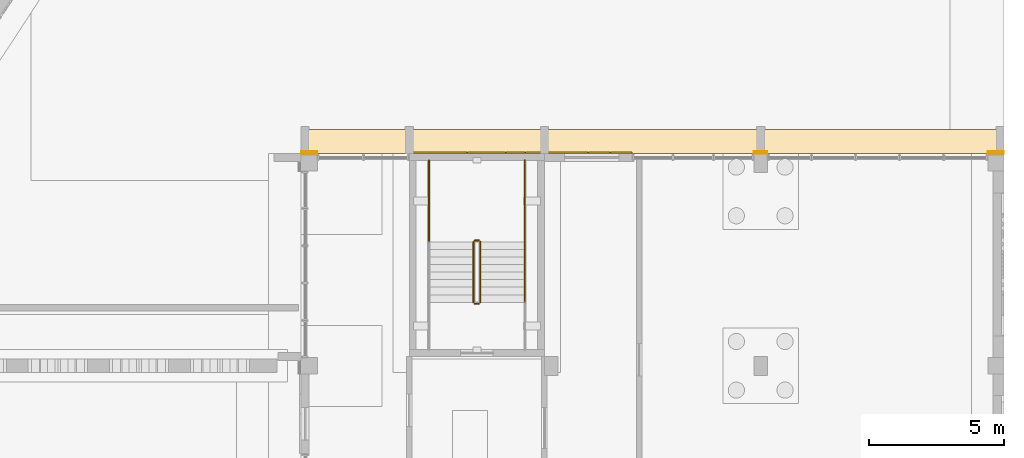
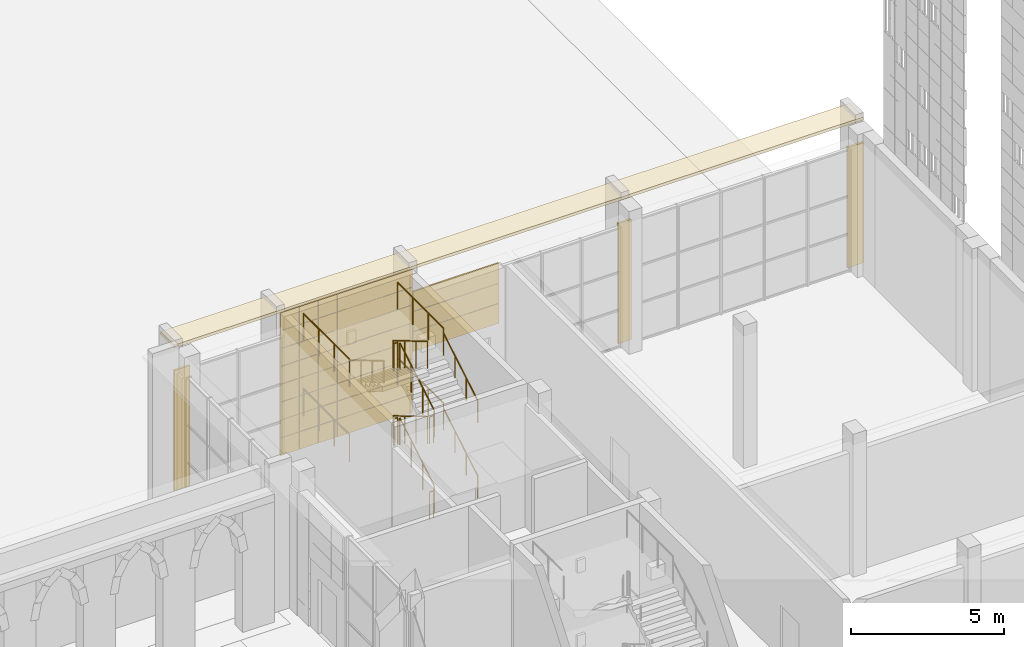
# One storey, part 123 of 125: 14 railings, 3 coverings.
"""IFC4 building model written with IfcOpenShell, lengths in metres."""

from ifc_helpers import new_model, si_unit, direction, frame, origin, origin_2d, place, context, subcontext, project, spatial, polyline, rectangle, circle, outline, extrude, material, layer, layer_set, type_object, element, save


model = new_model("IFC4")

# Units and contexts
model_context = context("Model", 3, precision=1e-05, world=origin(), true_north=direction((0.0, 1.0)))
body_context = subcontext(model_context, "Body", "Model", "MODEL_VIEW")
ifc_project = project(units=[si_unit("LENGTHUNIT", "METRE"), si_unit("AREAUNIT", "SQUARE_METRE"), si_unit("VOLUMEUNIT", "CUBIC_METRE"), si_unit("PLANEANGLEUNIT", "RADIAN"), si_unit("MASSUNIT", "GRAM", prefix="KILO")], contexts=[model_context])

# Site, building, storey
site_placement = place(None, origin())
site = spatial("IfcSite", under=ifc_project, at=site_placement, CompositionType="ELEMENT")
building_placement = place(site_placement, origin())
building = spatial("IfcBuilding", under=site, at=building_placement, Name="Sun Court Science Centre", CompositionType="ELEMENT")
storey_placement = place(building_placement, origin())
storey = spatial("IfcBuildingStorey", under=building, at=storey_placement, Name="L00", CompositionType="ELEMENT", Elevation=0.0)

# Railings
ifc_material_1 = material(Name="Steel S275", Category="steel")
railing_type_1 = type_object("IfcRailingType", Name="Guard 1100 steel balustrade", PredefinedType="GUARDRAIL", material=ifc_material_1)
railing_1_placement = place(storey_placement, frame((84.625, 75.498046875, 0.166748046875)))
element("IfcRailing", 1, at=railing_1_placement, inside=storey, type_object=railing_type_1, Name="L00 SL4 stair guard 1", PredefinedType="GUARDRAIL", context=body_context, shape_type="SweptSolid", body=[
    extrude(circle(Radius=0.02392578125, at=origin_2d()), frame((0.0, 0.0, 1.076171875), z_axis=(0.0, 0.859305625298, 0.511462454469), x_axis=(-1.0, 0.0, 0.0)), (0.0, 0.0, 1.0), 2.606689453125),
    extrude(circle(Radius=0.02099609375, at=origin_2d()), origin(), (0.0, 0.0, 1.0), 1.052001953125),
    extrude(circle(Radius=0.02099609375, at=origin_2d()), frame((0.0, 0.74658203125, 0.4443359375)), (0.0, 0.0, 1.0), 1.052001953125),
    extrude(circle(Radius=0.02099609375, at=origin_2d()), frame((0.0, 1.493408203125, 0.888916015625)), (0.0, 0.0, 1.0), 1.052001953125),
    extrude(circle(Radius=0.02099609375, at=origin_2d()), frame((0.0, 2.239990234375, 1.333251953125)), (0.0, 0.0, 1.0), 1.052001953125),
])
railing_2_placement = place(storey_placement, frame((84.574951171875, 77.7880859375, 1.5)))
element("IfcRailing", 2, at=railing_2_placement, inside=storey, type_object=railing_type_1, Name="L00 SL4 stair guard 2", PredefinedType="GUARDRAIL", context=body_context, shape_type="SweptSolid", body=[
    extrude(circle(Radius=0.02392578125, at=origin_2d()), frame((0.0, 0.0, 1.076171875), z_axis=(-1.0, 0.0, 0.0), x_axis=(0.0, -1.0, 0.0)), (0.0, 0.0, 1.0), 0.14990234375),
    extrude(circle(Radius=0.02099609375, at=origin_2d()), origin(), (0.0, 0.0, 1.0), 1.052001953125),
    extrude(circle(Radius=0.02099609375, at=origin_2d()), frame((-0.14990234375, 0.0, 0.0)), (0.0, 0.0, 1.0), 1.052001953125),
])
for number, where, name in (
    (3, (86.27294921875, 77.738037109375, 1.5), "L00 SL4 stair guard 3"),
    (4, (82.72705078125, 77.738037109375, 1.5), "L00 SL4 stair guard 4"),
):
    element("IfcRailing", number, at=place(storey_placement, frame(where)), inside=storey, type_object=railing_type_1, Name=name, PredefinedType="GUARDRAIL", context=body_context, shape_type="SweptSolid", body=[
        extrude(circle(Radius=0.02392578125, at=origin_2d()), frame((0.0, 0.0, 1.076171875), z_axis=(0.0, 1.0, 0.0), x_axis=(-1.0, 0.0, 0.0)), (0.0, 0.0, 1.0), 3.011962890625),
        extrude(circle(Radius=0.02099609375, at=origin_2d()), origin(), (0.0, 0.0, 1.0), 1.052001953125),
        extrude(circle(Radius=0.02099609375, at=origin_2d()), frame((0.0, 1.00390625, 0.0)), (0.0, 0.0, 1.0), 1.052001953125),
        extrude(circle(Radius=0.02099609375, at=origin_2d()), frame((0.0, 2.008056640625, 0.0)), (0.0, 0.0, 1.0), 1.052001953125),
        extrude(circle(Radius=0.02099609375, at=origin_2d()), frame((0.0, 3.011962890625, 0.0)), (0.0, 0.0, 1.0), 1.052001953125),
    ])
railing_3_placement = place(storey_placement, frame((84.375, 77.738037109375, 1.666748046875)))
element("IfcRailing", 5, at=railing_3_placement, inside=storey, type_object=railing_type_1, Name="L00 SL4 stair guard 5", PredefinedType="GUARDRAIL", context=body_context, shape_type="SweptSolid", body=[
    extrude(circle(Radius=0.02392578125, at=origin_2d()), frame((0.0, 0.0, 1.076171875), z_axis=(0.0, -0.859305625298, 0.511462454469), x_axis=(1.0, 0.0, 0.0)), (0.0, 0.0, 1.0), 2.606689453125),
    extrude(circle(Radius=0.02099609375, at=origin_2d()), origin(), (0.0, 0.0, 1.0), 1.052001953125),
    extrude(circle(Radius=0.02099609375, at=origin_2d()), frame((0.0, -0.74658203125, 0.4443359375)), (0.0, 0.0, 1.0), 1.052001953125),
    extrude(circle(Radius=0.02099609375, at=origin_2d()), frame((0.0, -1.493408203125, 0.888916015625)), (0.0, 0.0, 1.0), 1.052001953125),
    extrude(circle(Radius=0.02099609375, at=origin_2d()), frame((0.0, -2.239990234375, 1.333251953125)), (0.0, 0.0, 1.0), 1.052001953125),
])
railing_4_placement = place(storey_placement, frame((84.574951171875, 75.447998046875, 3.0)))
element("IfcRailing", 6, at=railing_4_placement, inside=storey, type_object=railing_type_1, Name="L00 SL4 stair guard 6", PredefinedType="GUARDRAIL", context=body_context, shape_type="SweptSolid", body=[
    extrude(circle(Radius=0.02392578125, at=origin_2d()), frame((0.0, 0.0, 1.076171875), z_axis=(-1.0, 0.0, 0.0), x_axis=(0.0, -1.0, 0.0)), (0.0, 0.0, 1.0), 0.14990234375),
    extrude(circle(Radius=0.02099609375, at=origin_2d()), origin(), (0.0, 0.0, 1.0), 1.052001953125),
    extrude(circle(Radius=0.02099609375, at=origin_2d()), frame((-0.14990234375, 0.0, 0.0)), (0.0, 0.0, 1.0), 1.052001953125),
])
railing_5_placement = place(storey_placement, frame((84.625, 75.498046875, 3.166748046875)))
element("IfcRailing", 7, at=railing_5_placement, inside=storey, type_object=railing_type_1, Name="L00 SL4 stair guard 9", PredefinedType="GUARDRAIL", context=body_context, shape_type="SweptSolid", body=[
    extrude(circle(Radius=0.02392578125, at=origin_2d()), frame((0.0, 0.0, 1.076171875), z_axis=(0.0, 0.859305625298, 0.511462454469), x_axis=(-1.0, 0.0, 0.0)), (0.0, 0.0, 1.0), 2.606689453125),
    extrude(circle(Radius=0.02099609375, at=origin_2d()), origin(), (0.0, 0.0, 1.0), 1.052001953125),
    extrude(circle(Radius=0.02099609375, at=origin_2d()), frame((0.0, 0.74658203125, 0.4443359375)), (0.0, 0.0, 1.0), 1.052001953125),
    extrude(circle(Radius=0.02099609375, at=origin_2d()), frame((0.0, 1.493408203125, 0.888916015625)), (0.0, 0.0, 1.0), 1.052001953125),
    extrude(circle(Radius=0.02099609375, at=origin_2d()), frame((0.0, 2.239990234375, 1.333251953125)), (0.0, 0.0, 1.0), 1.052001953125),
])
railing_6_placement = place(storey_placement, frame((84.574951171875, 77.7880859375, 4.5)))
element("IfcRailing", 8, at=railing_6_placement, inside=storey, type_object=railing_type_1, Name="L00 SL4 stair guard 10", PredefinedType="GUARDRAIL", context=body_context, shape_type="SweptSolid", body=[
    extrude(circle(Radius=0.02392578125, at=origin_2d()), frame((0.0, 0.0, 1.076171875), z_axis=(-1.0, 0.0, 0.0), x_axis=(0.0, -1.0, 0.0)), (0.0, 0.0, 1.0), 0.14990234375),
    extrude(circle(Radius=0.02099609375, at=origin_2d()), origin(), (0.0, 0.0, 1.0), 1.052001953125),
    extrude(circle(Radius=0.02099609375, at=origin_2d()), frame((-0.14990234375, 0.0, 0.0)), (0.0, 0.0, 1.0), 1.052001953125),
])
for number, where, name in (
    (9, (86.27294921875, 77.738037109375, 4.5), "L00 SL4 stair guard 11"),
    (10, (82.72705078125, 77.738037109375, 4.5), "L00 SL4 stair guard 12"),
):
    element("IfcRailing", number, at=place(storey_placement, frame(where)), inside=storey, type_object=railing_type_1, Name=name, PredefinedType="GUARDRAIL", context=body_context, shape_type="SweptSolid", body=[
        extrude(circle(Radius=0.02392578125, at=origin_2d()), frame((0.0, 0.0, 1.076171875), z_axis=(0.0, 1.0, 0.0), x_axis=(-1.0, 0.0, 0.0)), (0.0, 0.0, 1.0), 3.011962890625),
        extrude(circle(Radius=0.02099609375, at=origin_2d()), origin(), (0.0, 0.0, 1.0), 1.052001953125),
        extrude(circle(Radius=0.02099609375, at=origin_2d()), frame((0.0, 1.00390625, 0.0)), (0.0, 0.0, 1.0), 1.052001953125),
        extrude(circle(Radius=0.02099609375, at=origin_2d()), frame((0.0, 2.008056640625, 0.0)), (0.0, 0.0, 1.0), 1.052001953125),
        extrude(circle(Radius=0.02099609375, at=origin_2d()), frame((0.0, 3.011962890625, 0.0)), (0.0, 0.0, 1.0), 1.052001953125),
    ])
railing_7_placement = place(storey_placement, frame((84.375, 77.738037109375, 4.666748046875)))
element("IfcRailing", 11, at=railing_7_placement, inside=storey, type_object=railing_type_1, Name="L00 SL4 stair guard 13", PredefinedType="GUARDRAIL", context=body_context, shape_type="SweptSolid", body=[
    extrude(circle(Radius=0.02392578125, at=origin_2d()), frame((0.0, 0.0, 1.076171875), z_axis=(0.0, -0.859305625298, 0.511462454469), x_axis=(1.0, 0.0, 0.0)), (0.0, 0.0, 1.0), 2.606689453125),
    extrude(circle(Radius=0.02099609375, at=origin_2d()), origin(), (0.0, 0.0, 1.0), 1.052001953125),
    extrude(circle(Radius=0.02099609375, at=origin_2d()), frame((0.0, -0.74658203125, 0.4443359375)), (0.0, 0.0, 1.0), 1.052001953125),
    extrude(circle(Radius=0.02099609375, at=origin_2d()), frame((0.0, -1.493408203125, 0.888916015625)), (0.0, 0.0, 1.0), 1.052001953125),
    extrude(circle(Radius=0.02099609375, at=origin_2d()), frame((0.0, -2.239990234375, 1.333251953125)), (0.0, 0.0, 1.0), 1.052001953125),
])
railing_8_placement = place(storey_placement, frame((84.574951171875, 75.447998046875, 0.0)))
element("IfcRailing", 12, at=railing_8_placement, inside=storey, type_object=railing_type_1, Name="L00 SL4 stair guard 14", PredefinedType="GUARDRAIL", context=body_context, shape_type="SweptSolid", body=[
    extrude(circle(Radius=0.02392578125, at=origin_2d()), frame((0.0, 0.0, 1.076171875), z_axis=(-1.0, 0.0, 0.0), x_axis=(0.0, -1.0, 0.0)), (0.0, 0.0, 1.0), 0.14990234375),
    extrude(circle(Radius=0.02099609375, at=origin_2d()), origin(), (0.0, 0.0, 1.0), 1.052001953125),
    extrude(circle(Radius=0.02099609375, at=origin_2d()), frame((-0.14990234375, 0.0, 0.0)), (0.0, 0.0, 1.0), 1.052001953125),
])
ifc_material_2 = material(Name="Stainless steel", Category="steel")
railing_type_2 = type_object("IfcRailingType", Name="Handrail 900 stainless", PredefinedType="HANDRAIL", material=ifc_material_2)
for number, where, name in (
    (13, (86.27294921875, 75.498046875, 0.166748046875), "L00 SL4 stair handrail 1"),
    (14, (86.27294921875, 75.498046875, 3.166748046875), "L00 SL4 stair handrail 3"),
):
    element("IfcRailing", number, at=place(storey_placement, frame(where)), inside=storey, type_object=railing_type_2, Name=name, PredefinedType="HANDRAIL", context=body_context, shape_type="SweptSolid", body=[
        extrude(circle(Radius=0.02392578125, at=origin_2d()), frame((0.0, 0.0, 0.8759765625), z_axis=(0.0, 0.859305625298, 0.511462454469), x_axis=(-1.0, 0.0, 0.0)), (0.0, 0.0, 1.0), 2.606689453125),
        extrude(circle(Radius=0.02099609375, at=origin_2d()), origin(), (0.0, 0.0, 1.0), 0.851806640625),
        extrude(circle(Radius=0.02099609375, at=origin_2d()), frame((0.0, 0.74658203125, 0.4443359375)), (0.0, 0.0, 1.0), 0.851806640625),
        extrude(circle(Radius=0.02099609375, at=origin_2d()), frame((0.0, 1.493408203125, 0.888916015625)), (0.0, 0.0, 1.0), 0.851806640625),
        extrude(circle(Radius=0.02099609375, at=origin_2d()), frame((0.0, 2.239990234375, 1.333251953125)), (0.0, 0.0, 1.0), 0.851806640625),
    ])

# Coverings
ifc_material_3 = material(Name="Red sandstone", Category="masonry")
ifc_layer_1 = layer(ifc_material_3, 0.080078125)
ifc_layer_set_1 = layer_set([ifc_layer_1], Name="Red sandstone")
covering_type_1 = type_object("IfcCoveringType", Name="Red sandstone pier cladding", PredefinedType="CLADDING", material=ifc_layer_set_1)
covering_1_placement = place(storey_placement, origin())
element("IfcCovering", 15, at=covering_1_placement, inside=storey, type_object=covering_type_1, Name="Red sandstone pier cladding north face L00", PredefinedType="CLADDING", context=body_context, shape_type="SweptSolid", body=[
    extrude(rectangle(XDim=0.60009765625, YDim=0.080078125, at=origin_2d()), frame((78.300048828125, 81.0400390625, 0.0), z_axis=(0.0, 0.0, 1.0), x_axis=(1.0, 0.0, 0.0)), (0.0, 0.0, 1.0), 4.800048828125),
    extrude(rectangle(XDim=0.5, YDim=0.080078125, at=origin_2d()), frame((95.0, 81.0400390625, 0.0), z_axis=(0.0, 0.0, 1.0), x_axis=(1.0, 0.0, 0.0)), (0.0, 0.0, 1.0), 4.800048828125),
    extrude(rectangle(XDim=0.60009765625, YDim=0.080078125, at=origin_2d()), frame((103.699951171875, 81.0400390625, 0.0), z_axis=(0.0, 0.0, 1.0), x_axis=(1.0, 0.0, 0.0)), (0.0, 0.0, 1.0), 4.800048828125),
])
ifc_material_4 = material(Name="Red sandstone", Category="masonry")
ifc_layer_2 = layer(ifc_material_4, 0.06005859375)
ifc_layer_set_2 = layer_set([ifc_layer_2], Name="Red sandstone")
covering_type_2 = type_object("IfcCoveringType", Name="Red sandstone wall cladding 750", PredefinedType="CLADDING", material=ifc_layer_set_2)
covering_2_placement = place(storey_placement, origin())
element("IfcCovering", 16, at=covering_2_placement, inside=storey, type_object=covering_type_2, Name="Red sandstone wall cladding north face L00", PredefinedType="CLADDING", context=body_context, shape_type="SweptSolid", body=[
    extrude(rectangle(XDim=0.802490234375, YDim=0.06005859375, at=origin_2d()), frame((87.40625, 81.030029296875, 2.405029296875), z_axis=(0.0, 0.0, 1.0), x_axis=(1.0, 0.0, 0.0)), (0.0, 0.0, 1.0), 0.7900390625),
    extrude(rectangle(XDim=0.802490234375, YDim=0.06005859375, at=origin_2d()), frame((88.21875, 81.030029296875, 2.405029296875), z_axis=(0.0, 0.0, 1.0), x_axis=(1.0, 0.0, 0.0)), (0.0, 0.0, 1.0), 0.7900390625),
    extrude(rectangle(XDim=0.802490234375, YDim=0.06005859375, at=origin_2d()), frame((89.03125, 81.030029296875, 2.405029296875), z_axis=(0.0, 0.0, 1.0), x_axis=(1.0, 0.0, 0.0)), (0.0, 0.0, 1.0), 0.7900390625),
    extrude(rectangle(XDim=0.802490234375, YDim=0.06005859375, at=origin_2d()), frame((89.84375, 81.030029296875, 2.405029296875), z_axis=(0.0, 0.0, 1.0), x_axis=(1.0, 0.0, 0.0)), (0.0, 0.0, 1.0), 0.7900390625),
    extrude(rectangle(XDim=0.802490234375, YDim=0.06005859375, at=origin_2d()), frame((87.40625, 81.030029296875, 3.205078125), z_axis=(0.0, 0.0, 1.0), x_axis=(1.0, 0.0, 0.0)), (0.0, 0.0, 1.0), 0.7900390625),
    extrude(rectangle(XDim=0.802490234375, YDim=0.06005859375, at=origin_2d()), frame((88.21875, 81.030029296875, 3.205078125), z_axis=(0.0, 0.0, 1.0), x_axis=(1.0, 0.0, 0.0)), (0.0, 0.0, 1.0), 0.7900390625),
    extrude(rectangle(XDim=0.802490234375, YDim=0.06005859375, at=origin_2d()), frame((89.03125, 81.030029296875, 3.205078125), z_axis=(0.0, 0.0, 1.0), x_axis=(1.0, 0.0, 0.0)), (0.0, 0.0, 1.0), 0.7900390625),
    extrude(rectangle(XDim=0.802490234375, YDim=0.06005859375, at=origin_2d()), frame((89.84375, 81.030029296875, 3.205078125), z_axis=(0.0, 0.0, 1.0), x_axis=(1.0, 0.0, 0.0)), (0.0, 0.0, 1.0), 0.7900390625),
    extrude(rectangle(XDim=0.802490234375, YDim=0.06005859375, at=origin_2d()), frame((87.40625, 81.030029296875, 4.0048828125), z_axis=(0.0, 0.0, 1.0), x_axis=(1.0, 0.0, 0.0)), (0.0, 0.0, 1.0), 0.7900390625),
    extrude(rectangle(XDim=0.802490234375, YDim=0.06005859375, at=origin_2d()), frame((88.21875, 81.030029296875, 4.0048828125), z_axis=(0.0, 0.0, 1.0), x_axis=(1.0, 0.0, 0.0)), (0.0, 0.0, 1.0), 0.7900390625),
    extrude(rectangle(XDim=0.802490234375, YDim=0.06005859375, at=origin_2d()), frame((89.03125, 81.030029296875, 4.0048828125), z_axis=(0.0, 0.0, 1.0), x_axis=(1.0, 0.0, 0.0)), (0.0, 0.0, 1.0), 0.7900390625),
    extrude(rectangle(XDim=0.802490234375, YDim=0.06005859375, at=origin_2d()), frame((89.84375, 81.030029296875, 4.0048828125), z_axis=(0.0, 0.0, 1.0), x_axis=(1.0, 0.0, 0.0)), (0.0, 0.0, 1.0), 0.7900390625),
    extrude(rectangle(XDim=0.704345703125, YDim=0.06005859375, at=origin_2d()), frame((82.357177734375, 81.030029296875, 0.0048828125), z_axis=(0.0, 0.0, 1.0), x_axis=(1.0, 0.0, 0.0)), (0.0, 0.0, 1.0), 0.702392578125),
    extrude(rectangle(XDim=0.704345703125, YDim=0.06005859375, at=origin_2d()), frame((83.071533203125, 81.030029296875, 0.0048828125), z_axis=(0.0, 0.0, 1.0), x_axis=(1.0, 0.0, 0.0)), (0.0, 0.0, 1.0), 0.702392578125),
    extrude(rectangle(XDim=0.704345703125, YDim=0.06005859375, at=origin_2d()), frame((83.78564453125, 81.030029296875, 0.0048828125), z_axis=(0.0, 0.0, 1.0), x_axis=(1.0, 0.0, 0.0)), (0.0, 0.0, 1.0), 0.702392578125),
    extrude(rectangle(XDim=0.704345703125, YDim=0.06005859375, at=origin_2d()), frame((84.5, 81.030029296875, 0.0048828125), z_axis=(0.0, 0.0, 1.0), x_axis=(1.0, 0.0, 0.0)), (0.0, 0.0, 1.0), 0.702392578125),
    extrude(rectangle(XDim=0.704345703125, YDim=0.06005859375, at=origin_2d()), frame((85.21435546875, 81.030029296875, 0.0048828125), z_axis=(0.0, 0.0, 1.0), x_axis=(1.0, 0.0, 0.0)), (0.0, 0.0, 1.0), 0.702392578125),
    extrude(rectangle(XDim=0.704345703125, YDim=0.06005859375, at=origin_2d()), frame((85.928466796875, 81.030029296875, 0.0048828125), z_axis=(0.0, 0.0, 1.0), x_axis=(1.0, 0.0, 0.0)), (0.0, 0.0, 1.0), 0.702392578125),
    extrude(rectangle(XDim=0.704345703125, YDim=0.06005859375, at=origin_2d()), frame((86.642822265625, 81.030029296875, 0.0048828125), z_axis=(0.0, 0.0, 1.0), x_axis=(1.0, 0.0, 0.0)), (0.0, 0.0, 1.0), 0.702392578125),
    extrude(rectangle(XDim=0.704345703125, YDim=0.06005859375, at=origin_2d()), frame((82.357177734375, 81.030029296875, 0.7177734375), z_axis=(0.0, 0.0, 1.0), x_axis=(1.0, 0.0, 0.0)), (0.0, 0.0, 1.0), 0.702392578125),
    extrude(rectangle(XDim=0.704345703125, YDim=0.06005859375, at=origin_2d()), frame((83.071533203125, 81.030029296875, 0.7177734375), z_axis=(0.0, 0.0, 1.0), x_axis=(1.0, 0.0, 0.0)), (0.0, 0.0, 1.0), 0.702392578125),
    extrude(rectangle(XDim=0.704345703125, YDim=0.06005859375, at=origin_2d()), frame((83.78564453125, 81.030029296875, 0.7177734375), z_axis=(0.0, 0.0, 1.0), x_axis=(1.0, 0.0, 0.0)), (0.0, 0.0, 1.0), 0.702392578125),
    extrude(rectangle(XDim=0.704345703125, YDim=0.06005859375, at=origin_2d()), frame((84.5, 81.030029296875, 0.7177734375), z_axis=(0.0, 0.0, 1.0), x_axis=(1.0, 0.0, 0.0)), (0.0, 0.0, 1.0), 0.702392578125),
    extrude(rectangle(XDim=0.704345703125, YDim=0.06005859375, at=origin_2d()), frame((85.21435546875, 81.030029296875, 0.7177734375), z_axis=(0.0, 0.0, 1.0), x_axis=(1.0, 0.0, 0.0)), (0.0, 0.0, 1.0), 0.702392578125),
    extrude(rectangle(XDim=0.704345703125, YDim=0.06005859375, at=origin_2d()), frame((85.928466796875, 81.030029296875, 0.7177734375), z_axis=(0.0, 0.0, 1.0), x_axis=(1.0, 0.0, 0.0)), (0.0, 0.0, 1.0), 0.702392578125),
    extrude(rectangle(XDim=0.704345703125, YDim=0.06005859375, at=origin_2d()), frame((86.642822265625, 81.030029296875, 0.7177734375), z_axis=(0.0, 0.0, 1.0), x_axis=(1.0, 0.0, 0.0)), (0.0, 0.0, 1.0), 0.702392578125),
    extrude(rectangle(XDim=0.704345703125, YDim=0.06005859375, at=origin_2d()), frame((82.357177734375, 81.030029296875, 1.43017578125), z_axis=(0.0, 0.0, 1.0), x_axis=(1.0, 0.0, 0.0)), (0.0, 0.0, 1.0), 0.702392578125),
    extrude(rectangle(XDim=0.704345703125, YDim=0.06005859375, at=origin_2d()), frame((83.071533203125, 81.030029296875, 1.43017578125), z_axis=(0.0, 0.0, 1.0), x_axis=(1.0, 0.0, 0.0)), (0.0, 0.0, 1.0), 0.702392578125),
    extrude(rectangle(XDim=0.704345703125, YDim=0.06005859375, at=origin_2d()), frame((83.78564453125, 81.030029296875, 1.43017578125), z_axis=(0.0, 0.0, 1.0), x_axis=(1.0, 0.0, 0.0)), (0.0, 0.0, 1.0), 0.702392578125),
    extrude(rectangle(XDim=0.704345703125, YDim=0.06005859375, at=origin_2d()), frame((84.5, 81.030029296875, 1.43017578125), z_axis=(0.0, 0.0, 1.0), x_axis=(1.0, 0.0, 0.0)), (0.0, 0.0, 1.0), 0.702392578125),
    extrude(rectangle(XDim=0.704345703125, YDim=0.06005859375, at=origin_2d()), frame((85.21435546875, 81.030029296875, 1.43017578125), z_axis=(0.0, 0.0, 1.0), x_axis=(1.0, 0.0, 0.0)), (0.0, 0.0, 1.0), 0.702392578125),
    extrude(rectangle(XDim=0.704345703125, YDim=0.06005859375, at=origin_2d()), frame((85.928466796875, 81.030029296875, 1.43017578125), z_axis=(0.0, 0.0, 1.0), x_axis=(1.0, 0.0, 0.0)), (0.0, 0.0, 1.0), 0.702392578125),
    extrude(rectangle(XDim=0.704345703125, YDim=0.06005859375, at=origin_2d()), frame((86.642822265625, 81.030029296875, 1.43017578125), z_axis=(0.0, 0.0, 1.0), x_axis=(1.0, 0.0, 0.0)), (0.0, 0.0, 1.0), 0.702392578125),
    extrude(rectangle(XDim=0.704345703125, YDim=0.06005859375, at=origin_2d()), frame((82.357177734375, 81.030029296875, 2.142578125), z_axis=(0.0, 0.0, 1.0), x_axis=(1.0, 0.0, 0.0)), (0.0, 0.0, 1.0), 0.702392578125),
    extrude(rectangle(XDim=0.704345703125, YDim=0.06005859375, at=origin_2d()), frame((83.071533203125, 81.030029296875, 2.142578125), z_axis=(0.0, 0.0, 1.0), x_axis=(1.0, 0.0, 0.0)), (0.0, 0.0, 1.0), 0.702392578125),
    extrude(rectangle(XDim=0.704345703125, YDim=0.06005859375, at=origin_2d()), frame((83.78564453125, 81.030029296875, 2.142578125), z_axis=(0.0, 0.0, 1.0), x_axis=(1.0, 0.0, 0.0)), (0.0, 0.0, 1.0), 0.702392578125),
    extrude(rectangle(XDim=0.704345703125, YDim=0.06005859375, at=origin_2d()), frame((84.5, 81.030029296875, 2.142578125), z_axis=(0.0, 0.0, 1.0), x_axis=(1.0, 0.0, 0.0)), (0.0, 0.0, 1.0), 0.702392578125),
    extrude(rectangle(XDim=0.704345703125, YDim=0.06005859375, at=origin_2d()), frame((85.21435546875, 81.030029296875, 2.142578125), z_axis=(0.0, 0.0, 1.0), x_axis=(1.0, 0.0, 0.0)), (0.0, 0.0, 1.0), 0.702392578125),
    extrude(rectangle(XDim=0.704345703125, YDim=0.06005859375, at=origin_2d()), frame((85.928466796875, 81.030029296875, 2.142578125), z_axis=(0.0, 0.0, 1.0), x_axis=(1.0, 0.0, 0.0)), (0.0, 0.0, 1.0), 0.702392578125),
    extrude(rectangle(XDim=0.704345703125, YDim=0.06005859375, at=origin_2d()), frame((86.642822265625, 81.030029296875, 2.142578125), z_axis=(0.0, 0.0, 1.0), x_axis=(1.0, 0.0, 0.0)), (0.0, 0.0, 1.0), 0.702392578125),
    extrude(rectangle(XDim=0.704345703125, YDim=0.06005859375, at=origin_2d()), frame((82.357177734375, 81.030029296875, 2.85498046875), z_axis=(0.0, 0.0, 1.0), x_axis=(1.0, 0.0, 0.0)), (0.0, 0.0, 1.0), 0.702392578125),
    extrude(rectangle(XDim=0.704345703125, YDim=0.06005859375, at=origin_2d()), frame((83.071533203125, 81.030029296875, 2.85498046875), z_axis=(0.0, 0.0, 1.0), x_axis=(1.0, 0.0, 0.0)), (0.0, 0.0, 1.0), 0.702392578125),
    extrude(rectangle(XDim=0.704345703125, YDim=0.06005859375, at=origin_2d()), frame((83.78564453125, 81.030029296875, 2.85498046875), z_axis=(0.0, 0.0, 1.0), x_axis=(1.0, 0.0, 0.0)), (0.0, 0.0, 1.0), 0.702392578125),
    extrude(rectangle(XDim=0.704345703125, YDim=0.06005859375, at=origin_2d()), frame((84.5, 81.030029296875, 2.85498046875), z_axis=(0.0, 0.0, 1.0), x_axis=(1.0, 0.0, 0.0)), (0.0, 0.0, 1.0), 0.702392578125),
    extrude(rectangle(XDim=0.704345703125, YDim=0.06005859375, at=origin_2d()), frame((85.21435546875, 81.030029296875, 2.85498046875), z_axis=(0.0, 0.0, 1.0), x_axis=(1.0, 0.0, 0.0)), (0.0, 0.0, 1.0), 0.702392578125),
    extrude(rectangle(XDim=0.704345703125, YDim=0.06005859375, at=origin_2d()), frame((85.928466796875, 81.030029296875, 2.85498046875), z_axis=(0.0, 0.0, 1.0), x_axis=(1.0, 0.0, 0.0)), (0.0, 0.0, 1.0), 0.702392578125),
    extrude(rectangle(XDim=0.704345703125, YDim=0.06005859375, at=origin_2d()), frame((86.642822265625, 81.030029296875, 2.85498046875), z_axis=(0.0, 0.0, 1.0), x_axis=(1.0, 0.0, 0.0)), (0.0, 0.0, 1.0), 0.702392578125),
    extrude(rectangle(XDim=0.704345703125, YDim=0.06005859375, at=origin_2d()), frame((82.357177734375, 81.030029296875, 3.5673828125), z_axis=(0.0, 0.0, 1.0), x_axis=(1.0, 0.0, 0.0)), (0.0, 0.0, 1.0), 0.702392578125),
    extrude(rectangle(XDim=0.704345703125, YDim=0.06005859375, at=origin_2d()), frame((83.071533203125, 81.030029296875, 3.5673828125), z_axis=(0.0, 0.0, 1.0), x_axis=(1.0, 0.0, 0.0)), (0.0, 0.0, 1.0), 0.702392578125),
    extrude(rectangle(XDim=0.704345703125, YDim=0.06005859375, at=origin_2d()), frame((83.78564453125, 81.030029296875, 3.5673828125), z_axis=(0.0, 0.0, 1.0), x_axis=(1.0, 0.0, 0.0)), (0.0, 0.0, 1.0), 0.702392578125),
    extrude(rectangle(XDim=0.704345703125, YDim=0.06005859375, at=origin_2d()), frame((84.5, 81.030029296875, 3.5673828125), z_axis=(0.0, 0.0, 1.0), x_axis=(1.0, 0.0, 0.0)), (0.0, 0.0, 1.0), 0.702392578125),
    extrude(rectangle(XDim=0.704345703125, YDim=0.06005859375, at=origin_2d()), frame((85.21435546875, 81.030029296875, 3.5673828125), z_axis=(0.0, 0.0, 1.0), x_axis=(1.0, 0.0, 0.0)), (0.0, 0.0, 1.0), 0.702392578125),
    extrude(rectangle(XDim=0.704345703125, YDim=0.06005859375, at=origin_2d()), frame((85.928466796875, 81.030029296875, 3.5673828125), z_axis=(0.0, 0.0, 1.0), x_axis=(1.0, 0.0, 0.0)), (0.0, 0.0, 1.0), 0.702392578125),
    extrude(rectangle(XDim=0.704345703125, YDim=0.06005859375, at=origin_2d()), frame((86.642822265625, 81.030029296875, 3.5673828125), z_axis=(0.0, 0.0, 1.0), x_axis=(1.0, 0.0, 0.0)), (0.0, 0.0, 1.0), 0.702392578125),
    extrude(rectangle(XDim=0.704345703125, YDim=0.06005859375, at=origin_2d()), frame((82.357177734375, 81.030029296875, 4.2802734375), z_axis=(0.0, 0.0, 1.0), x_axis=(1.0, 0.0, 0.0)), (0.0, 0.0, 1.0), 0.702392578125),
    extrude(rectangle(XDim=0.704345703125, YDim=0.06005859375, at=origin_2d()), frame((83.071533203125, 81.030029296875, 4.2802734375), z_axis=(0.0, 0.0, 1.0), x_axis=(1.0, 0.0, 0.0)), (0.0, 0.0, 1.0), 0.702392578125),
    extrude(rectangle(XDim=0.704345703125, YDim=0.06005859375, at=origin_2d()), frame((83.78564453125, 81.030029296875, 4.2802734375), z_axis=(0.0, 0.0, 1.0), x_axis=(1.0, 0.0, 0.0)), (0.0, 0.0, 1.0), 0.702392578125),
    extrude(rectangle(XDim=0.704345703125, YDim=0.06005859375, at=origin_2d()), frame((84.5, 81.030029296875, 4.2802734375), z_axis=(0.0, 0.0, 1.0), x_axis=(1.0, 0.0, 0.0)), (0.0, 0.0, 1.0), 0.702392578125),
    extrude(rectangle(XDim=0.704345703125, YDim=0.06005859375, at=origin_2d()), frame((85.21435546875, 81.030029296875, 4.2802734375), z_axis=(0.0, 0.0, 1.0), x_axis=(1.0, 0.0, 0.0)), (0.0, 0.0, 1.0), 0.702392578125),
    extrude(rectangle(XDim=0.704345703125, YDim=0.06005859375, at=origin_2d()), frame((85.928466796875, 81.030029296875, 4.2802734375), z_axis=(0.0, 0.0, 1.0), x_axis=(1.0, 0.0, 0.0)), (0.0, 0.0, 1.0), 0.702392578125),
    extrude(rectangle(XDim=0.704345703125, YDim=0.06005859375, at=origin_2d()), frame((86.642822265625, 81.030029296875, 4.2802734375), z_axis=(0.0, 0.0, 1.0), x_axis=(1.0, 0.0, 0.0)), (0.0, 0.0, 1.0), 0.702392578125),
    extrude(rectangle(XDim=0.704345703125, YDim=0.06005859375, at=origin_2d()), frame((82.357177734375, 81.030029296875, 4.99267578125), z_axis=(0.0, 0.0, 1.0), x_axis=(1.0, 0.0, 0.0)), (0.0, 0.0, 1.0), 0.702392578125),
    extrude(rectangle(XDim=0.704345703125, YDim=0.06005859375, at=origin_2d()), frame((83.071533203125, 81.030029296875, 4.99267578125), z_axis=(0.0, 0.0, 1.0), x_axis=(1.0, 0.0, 0.0)), (0.0, 0.0, 1.0), 0.702392578125),
    extrude(rectangle(XDim=0.704345703125, YDim=0.06005859375, at=origin_2d()), frame((83.78564453125, 81.030029296875, 4.99267578125), z_axis=(0.0, 0.0, 1.0), x_axis=(1.0, 0.0, 0.0)), (0.0, 0.0, 1.0), 0.702392578125),
    extrude(rectangle(XDim=0.704345703125, YDim=0.06005859375, at=origin_2d()), frame((84.5, 81.030029296875, 4.99267578125), z_axis=(0.0, 0.0, 1.0), x_axis=(1.0, 0.0, 0.0)), (0.0, 0.0, 1.0), 0.702392578125),
    extrude(rectangle(XDim=0.704345703125, YDim=0.06005859375, at=origin_2d()), frame((85.21435546875, 81.030029296875, 4.99267578125), z_axis=(0.0, 0.0, 1.0), x_axis=(1.0, 0.0, 0.0)), (0.0, 0.0, 1.0), 0.702392578125),
    extrude(rectangle(XDim=0.704345703125, YDim=0.06005859375, at=origin_2d()), frame((85.928466796875, 81.030029296875, 4.99267578125), z_axis=(0.0, 0.0, 1.0), x_axis=(1.0, 0.0, 0.0)), (0.0, 0.0, 1.0), 0.702392578125),
    extrude(rectangle(XDim=0.704345703125, YDim=0.06005859375, at=origin_2d()), frame((86.642822265625, 81.030029296875, 4.99267578125), z_axis=(0.0, 0.0, 1.0), x_axis=(1.0, 0.0, 0.0)), (0.0, 0.0, 1.0), 0.702392578125),
])
ifc_material_5 = material(Name="Red sandstone", Category="masonry")
ifc_layer_3 = layer(ifc_material_5, 0.1201171875)
ifc_layer_set_3 = layer_set([ifc_layer_3], Name="Red sandstone")
covering_type_3 = type_object("IfcCoveringType", Name="Sandstone chhajja eave 900", PredefinedType="CLADDING", material=ifc_layer_set_3)
covering_3_placement = place(storey_placement, frame((0.0, 0.0, 5.699951171875)))
element("IfcCovering", 17, at=covering_3_placement, inside=storey, type_object=covering_type_3, Name="Chhajja eave north face L00", PredefinedType="CLADDING", context=body_context, shape_type="SweptSolid", body=[
    extrude(outline(polyline([(78.0, 81.0), (104.0, 81.0), (104.0, 81.89990234375), (78.0, 81.89990234375), (78.0, 81.0)])), origin(), (0.0, 0.0, 1.0), 0.1201171875),
])

save(model, "model.ifc")
